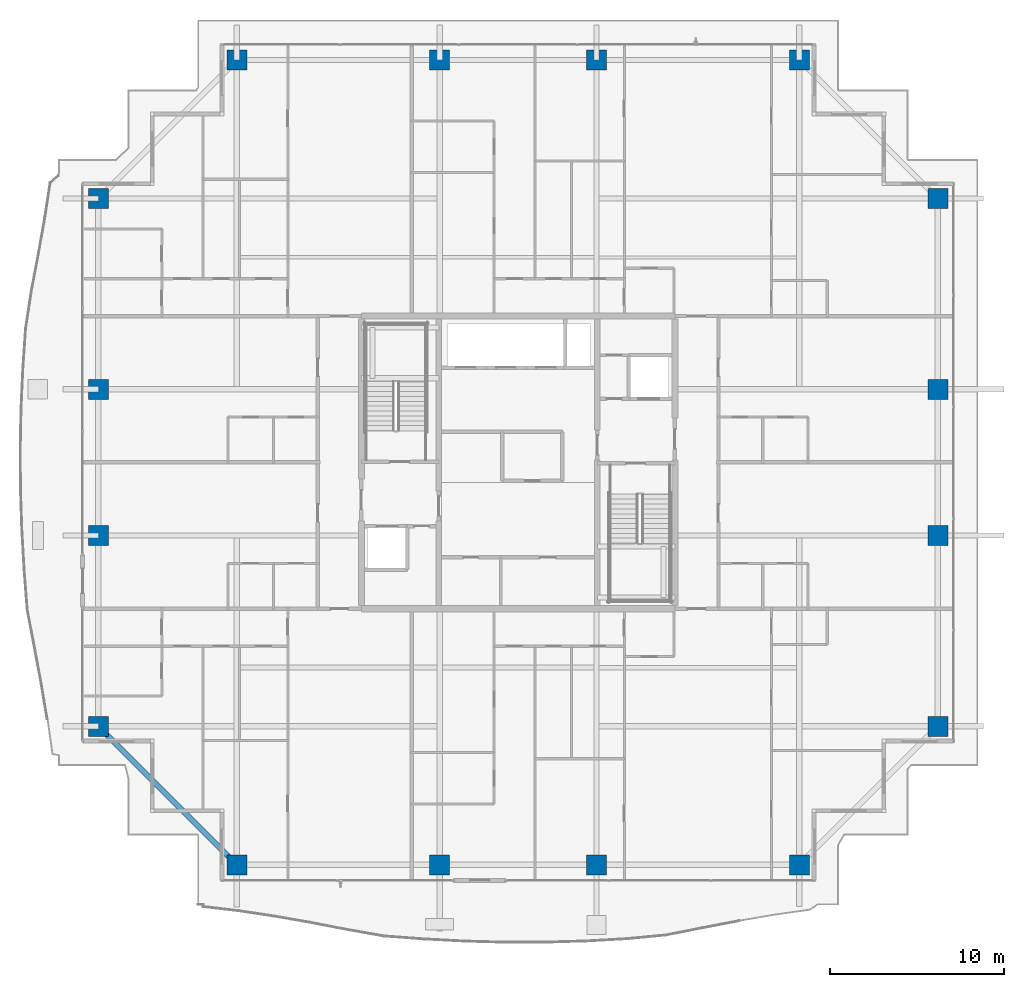
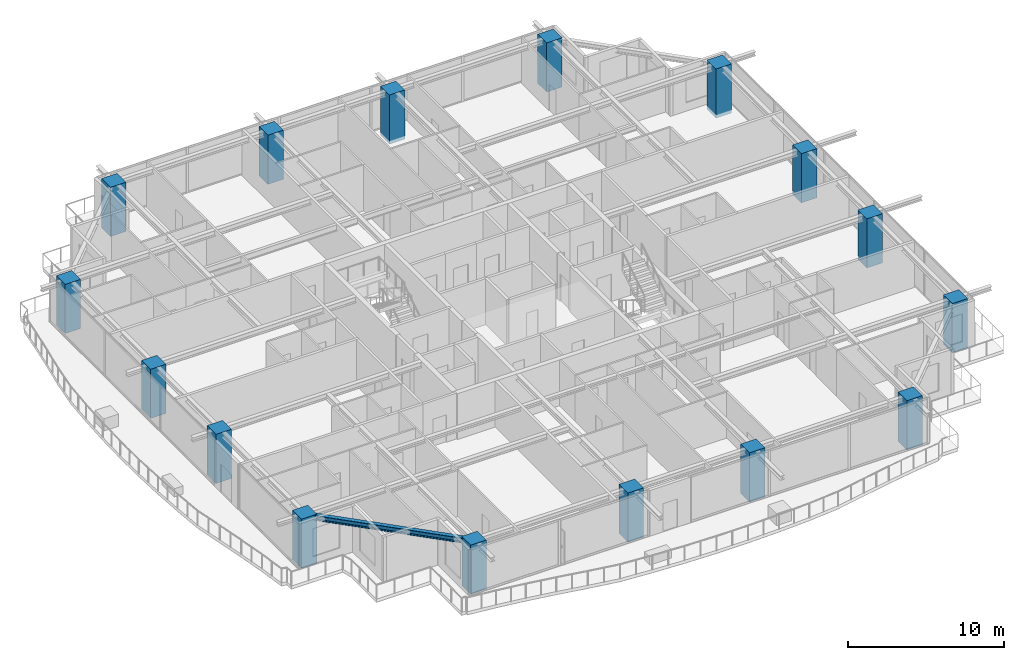
# One storey, part 1 of 38: 16 columns, 1 beam.
"""IFC4 building model written with IfcOpenShell, lengths in metres."""

from ifc_helpers import new_model, si_unit, direction, frame, origin, origin_2d, place, context, subcontext, project, spatial, rectangle, i_section, extrude, source, transform, mapped, material, material_profile, profile_set, type_object, element, save


model = new_model("IFC4")

# Units and contexts
model_context = context("Model", 3, precision=1e-05, world=origin(), true_north=direction((0.0, 1.0)))
body_context = subcontext(model_context, "Body", "Model", "MODEL_VIEW")
ifc_project = project(units=[si_unit("LENGTHUNIT", "METRE"), si_unit("AREAUNIT", "SQUARE_METRE"), si_unit("VOLUMEUNIT", "CUBIC_METRE"), si_unit("PLANEANGLEUNIT", "RADIAN"), si_unit("MASSUNIT", "GRAM", prefix="KILO")], contexts=[model_context])

# Site, building, storey
site_placement = place(None, origin())
site = spatial("IfcSite", under=ifc_project, at=site_placement, CompositionType="ELEMENT")
building_placement = place(site_placement, origin())
building = spatial("IfcBuilding", under=site, at=building_placement, Name="Serunith Strait Residences", CompositionType="ELEMENT")
storey_placement = place(building_placement, frame((0.0, 0.0, 241.25)))
storey = spatial("IfcBuildingStorey", under=building, at=storey_placement, Name="L60", CompositionType="ELEMENT", Elevation=241.25)

# Columns
ifc_material_1 = material(Name="Concrete C80/95", Category="concrete")
ifc_material_profile_1 = material_profile(ifc_material_1, rectangle(XDim=1.14990234375, YDim=1.14990234375, at=origin_2d()), Name="RC 1150x1150")
ifc_profile_set_1 = profile_set([ifc_material_profile_1], Name="Concrete C80/95")
column_type = type_object("IfcColumnType", Name="COL-RC-1150", PredefinedType="COLUMN", material=ifc_profile_set_1)
shared_shape_1 = source(origin(), body_context, "Body", "SweptSolid", [
    extrude(rectangle(XDim=1.14990234375, YDim=1.14990234375, at=origin_2d()), origin(), (0.0, 0.0, 1.0), 3.85009765625),
])
for number, where, z_axis, x_axis, name in (
    (1, (16.25, 2.10009765625, -0.260009765625), (0.0, 0.0, 1.0), (1.0, 0.0, 0.0), "L60 Tower Mega-Column TC-S1"),
    (2, (27.89990234375, 2.10009765625, -0.260009765625), (0.0, 0.0, 1.0), (1.0, 0.0, 0.0), "L60 Tower Mega-Column TC-S2"),
    (3, (36.89990234375, 2.10009765625, -0.260009765625), (0.0, 0.0, 1.0), (1.0, 0.0, 0.0), "L60 Tower Mega-Column TC-S3"),
    (4, (48.550048828125, 2.10009765625, -0.260009765625), (0.0, 0.0, 1.0), (1.0, 0.0, 0.0), "L60 Tower Mega-Column TC-S4"),
    (5, (16.25, 48.300048828125, -0.260009765625), (0.0, 0.0, 1.0), (1.0, 0.0, 0.0), "L60 Tower Mega-Column TC-N1"),
    (6, (27.89990234375, 48.300048828125, -0.260009765625), (0.0, 0.0, 1.0), (1.0, 0.0, 0.0), "L60 Tower Mega-Column TC-N2"),
    (7, (36.89990234375, 48.300048828125, -0.260009765625), (0.0, 0.0, 1.0), (1.0, 0.0, 0.0), "L60 Tower Mega-Column TC-N3"),
    (8, (48.550048828125, 48.300048828125, -0.260009765625), (0.0, 0.0, 1.0), (1.0, 0.0, 0.0), "L60 Tower Mega-Column TC-N4"),
    (9, (56.5, 10.050048828125, -0.260009765625), (0.0, 0.0, 1.0), (1.0, 0.0, 0.0), "L60 Tower Mega-Column TC-E1"),
    (10, (56.5, 21.0, -0.260009765625), (0.0, 0.0, 1.0), (1.0, 0.0, 0.0), "L60 Tower Mega-Column TC-E2"),
    (11, (56.5, 29.39990234375, -0.260009765625), (0.0, 0.0, 1.0), (1.0, 0.0, 0.0), "L60 Tower Mega-Column TC-E3"),
    (12, (56.5, 40.35009765625, -0.260009765625), (0.0, 0.0, 1.0), (1.0, 0.0, 0.0), "L60 Tower Mega-Column TC-E4"),
    (13, (8.300048828125, 10.050048828125, -0.260009765625), (0.0, 0.0, 1.0), (1.0, 0.0, 0.0), "L60 Tower Mega-Column TC-W1"),
    (14, (8.300048828125, 21.0, -0.260009765625), (0.0, 0.0, 1.0), (1.0, 0.0, 0.0), "L60 Tower Mega-Column TC-W2"),
    (15, (8.300048828125, 29.39990234375, -0.260009765625), (0.0, 0.0, 1.0), (1.0, 0.0, 0.0), "L60 Tower Mega-Column TC-W3"),
    (16, (8.300048828125, 40.35009765625, -0.260009765625), (0.0, 0.0, 1.0), (1.0, 0.0, 0.0), "L60 Tower Mega-Column TC-W4"),
):
    element("IfcColumn", number, at=place(storey_placement, frame(where, z_axis=z_axis, x_axis=x_axis)), inside=storey, type_object=column_type, Name=name, PredefinedType="COLUMN", context=body_context, shape_type="MappedRepresentation", body=[
        mapped(shared_shape_1, transform((0.0, 0.0, 0.0), scale=1.0)),
    ])

# Beam
ifc_material_2 = material(Name="Steel S355J2", Category="steel")
ifc_material_profile_2 = material_profile(ifc_material_2, i_section(OverallWidth=0.300048828125, OverallDepth=0.39990234375, WebThickness=0.013427734375, FlangeThickness=0.02392578125, FilletRadius=0.027099609375, at=origin_2d()), Name="HEB 400")
ifc_profile_set_2 = profile_set([ifc_material_profile_2], Name="Steel S355J2")
beam_type = type_object("IfcBeamType", Name="BM-HEB400", PredefinedType="BEAM", material=ifc_profile_set_2)
shared_shape_2 = source(origin(), body_context, "Body", "SweptSolid", [
    extrude(i_section(OverallWidth=0.300048828125, OverallDepth=0.39990234375, WebThickness=0.013427734375, FlangeThickness=0.02392578125, FilletRadius=0.027099609375, at=origin_2d()), origin(), (0.0, 0.0, 1.0), 11.242919921875),
])
beam_placement = place(storey_placement, frame((8.300048828125, 10.050048828125, 3.35693359375), z_axis=(0.707106781187, -0.707106781187, 0.0), x_axis=(0.707106781187, 0.707106781187, 0.0)))
element("IfcBeam", 17, at=beam_placement, inside=storey, type_object=beam_type, Name="L60 Perimeter Ring Beam 16", PredefinedType="BEAM", context=body_context, shape_type="MappedRepresentation", body=[
    mapped(shared_shape_2, transform((0.0, 0.0, 0.0), scale=1.0)),
])

save(model, "model.ifc")
